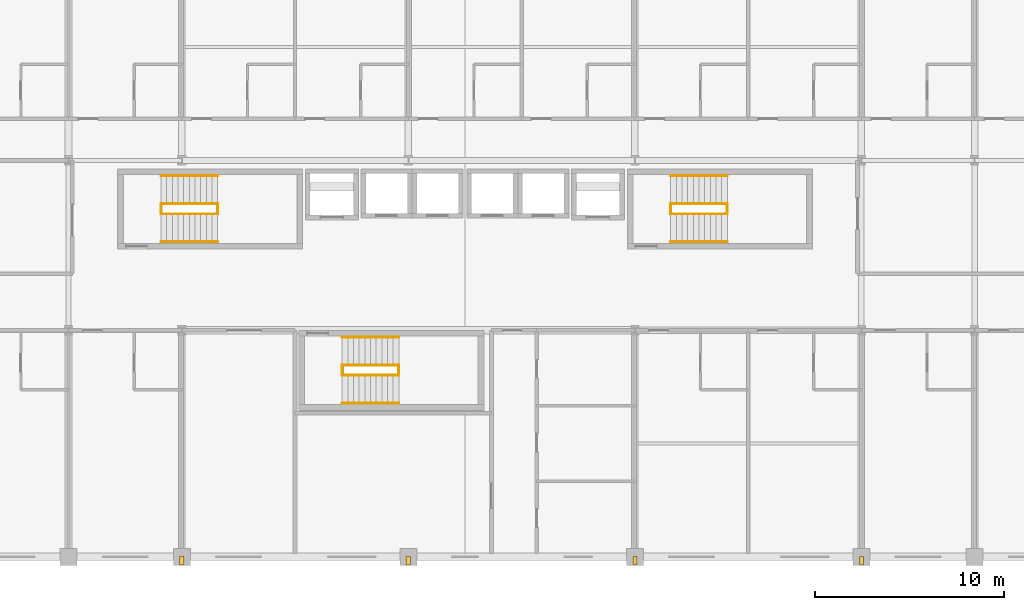
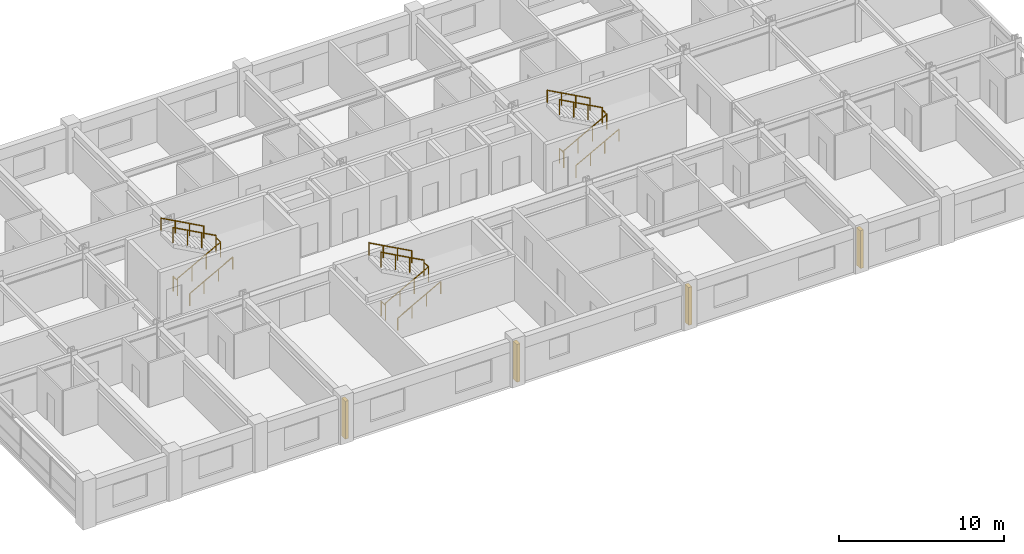
# One storey, part 22 of 22: 18 railings, 4 shading devices.
"""IFC4 building model written with IfcOpenShell, lengths in metres."""

import ifcopenshell
import ifcopenshell.guid

model = None  # the IFC model being written
_history = None  # IfcOwnerHistory: only IFC2X3 demands one
_inside = {}  # id of a spatial element -> (the spatial element, [elements in it])
_under = {}  # id of a project, library or spatial element -> (it, [spatial elements below it])
_declared = {}  # id of a project -> (the project, [libraries it declares])
_typed = {}  # id of a type object -> (the type object, [elements of that type])
_made_of = {}  # id of a material, layer set ... -> (it, [elements and type objects made of it])


def new_model(schema):
    """Start an empty IFC model of exactly this schema.

    Asked for "IFC4X3", IfcOpenShell would pick the latest addendum, in which some entities
    have other attributes; the version numbers below select the first issue.
    IFC2X3 requires an IfcOwnerHistory on every rooted entity: one is made here for all.
    """
    global model, _history
    if schema == "IFC4X3":
        model = ifcopenshell.file(schema_version=(4, 3, 0, 0))
    else:
        model = ifcopenshell.file(schema=schema)
    _inside.clear()
    _under.clear()
    _declared.clear()
    _typed.clear()
    _made_of.clear()
    _history = None
    if model.schema == "IFC2X3":
        org = make("IfcOrganization", Name="unknown")
        user = make(
            "IfcPersonAndOrganization",
            ThePerson=make("IfcPerson", FamilyName="unknown"),
            TheOrganization=org,
        )
        app = make(
            "IfcApplication",
            ApplicationDeveloper=org,
            Version="unknown",
            ApplicationFullName="unknown",
            ApplicationIdentifier="unknown",
        )
        _history = make(
            "IfcOwnerHistory",
            OwningUser=user,
            OwningApplication=app,
            ChangeAction="ADDED",
            CreationDate=0,
        )
    return model


def make(cls, **values):
    """One entity of the class cls with the attributes given. An attribute that is None is left unset."""
    return model.create_entity(
        cls, **{name: value for name, value in values.items() if value is not None}
    )


def rooted(cls, **values):
    """An entity with a GlobalId (a new one), such as an element, a storey or a relation."""
    return make(cls, GlobalId=ifcopenshell.guid.new(), OwnerHistory=_history, **values)


def si_unit(unit_type, name, prefix=None):
    """IfcSIUnit, for example si_unit("LENGTHUNIT", "METRE", prefix="MILLI")."""
    return make("IfcSIUnit", UnitType=unit_type, Prefix=prefix, Name=name)


def assignment(units):
    """IfcUnitAssignment: the units of a project."""
    return None if units is None else make("IfcUnitAssignment", Units=units)


def point(xyz):
    """IfcCartesianPoint."""
    return None if xyz is None else make("IfcCartesianPoint", Coordinates=xyz)


def direction(xyz):
    """IfcDirection."""
    return None if xyz is None else make("IfcDirection", DirectionRatios=xyz)


def frame(location, z_axis=None, x_axis=None):
    """IfcAxis2Placement3D, a coordinate frame: its origin and axes. An axis left out is left unset."""
    return make(
        "IfcAxis2Placement3D",
        Location=point(location),
        Axis=direction(z_axis),
        RefDirection=direction(x_axis),
    )


def frame_2d(location, x_axis=None):
    """IfcAxis2Placement2D, a coordinate frame in the plane: its origin and x axis."""
    return make(
        "IfcAxis2Placement2D", Location=point(location), RefDirection=direction(x_axis)
    )


def origin():
    """The frame at (0, 0, 0) with its axes left unset."""
    return frame((0.0, 0.0, 0.0))


def origin_2d():
    """The frame at (0, 0) in the plane with its x axis left unset."""
    return frame_2d((0.0, 0.0))


def place(relative_to, where):
    """IfcLocalPlacement: puts the frame where relative to a parent placement (None: the world)."""
    return make(
        "IfcLocalPlacement", PlacementRelTo=relative_to, RelativePlacement=where
    )


def context(
    kind, dimensions, precision=None, world=None, true_north=None, identifier=None
):
    """IfcGeometricRepresentationContext, for example the 3D "Model" context."""
    return make(
        "IfcGeometricRepresentationContext",
        ContextIdentifier=identifier,
        ContextType=kind,
        CoordinateSpaceDimension=dimensions,
        Precision=precision,
        WorldCoordinateSystem=world,
        TrueNorth=true_north,
    )


def subcontext(parent, identifier, kind, view, scale=None):
    """IfcGeometricRepresentationSubContext, for example "Body" below "Model"."""
    return make(
        "IfcGeometricRepresentationSubContext",
        ContextIdentifier=identifier,
        ContextType=kind,
        ParentContext=parent,
        TargetScale=scale,
        TargetView=view,
    )


def project(units=None, contexts=None):
    """IfcProject with its units and contexts."""
    return rooted(
        "IfcProject",
        Name="project",
        RepresentationContexts=contexts,
        UnitsInContext=assignment(units),
    )


def spatial(cls, under=None, at=None, **own):
    """A site, building, storey or space (cls), placed at a placement, below another one or the project."""
    s = rooted(cls, ObjectPlacement=at, **own)
    if under is not None:
        _under.setdefault(under.id(), (under, []))[1].append(s)
    return s


def profile(cls, at=None, kind="AREA", **sizes):
    """A parametric profile (cls). Its sizes go by their IFC names, for example OverallWidth=200.0."""
    return make(cls, ProfileType=kind, Position=at, **sizes)


def rectangle(**sizes):
    """IfcRectangleProfileDef."""
    return profile("IfcRectangleProfileDef", **sizes)


def circle(**sizes):
    """IfcCircleProfileDef."""
    return profile("IfcCircleProfileDef", **sizes)


def extrude(swept, where, along, depth):
    """IfcExtrudedAreaSolid: the profile swept, set in the frame where, extruded along a direction by depth."""
    return make(
        "IfcExtrudedAreaSolid",
        SweptArea=swept,
        Position=where,
        ExtrudedDirection=direction(along),
        Depth=depth,
    )


def shape(context_of_items, identifier, shape_type, items):
    """IfcShapeRepresentation: the items that make up one representation, for example the "Body"."""
    return make(
        "IfcShapeRepresentation",
        ContextOfItems=context_of_items,
        RepresentationIdentifier=identifier,
        RepresentationType=shape_type,
        Items=items,
    )


def material(Name=None, Category=None):
    """IfcMaterial."""
    return make("IfcMaterial", Name=Name, Category=Category)


def made_of(thing, what):
    """Note that an element or type object is made of a material, layer set ...; save() writes the relation."""
    if what is not None:
        _made_of.setdefault(what.id(), (what, []))[1].append(thing)
    return thing


def type_object(cls, material=None, **own):
    """A type object (cls), such as IfcWallType, which elements share."""
    return made_of(rooted(cls, **own), material)


def element(
    cls,
    number,
    at=None,
    inside=None,
    cuts=None,
    type_object=None,
    material=None,
    context=None,
    identifier="Body",
    shape_type=None,
    held_by="IfcProductDefinitionShape",
    body=None,
    shapes=None,
    **own,
):
    """One element of the class cls, such as IfcWall. Its Tag is "e" and its number.

    at: its placement. inside: the storey or other place that contains it. cuts: it is an
    opening in that element (IfcRelVoidsElement). A single representation is given by context,
    identifier, shape_type and body (its items); several are given by shapes. held_by: the class
    of the entity that holds the representations. save() writes the other relations.
    """
    e = rooted(cls, Tag="e%d" % number, ObjectPlacement=at, **own)
    if body is not None:
        shapes = [shape(context, identifier, shape_type, body)]
    if shapes is not None:
        e.Representation = make(held_by, Representations=shapes)
    if inside is not None:
        _inside.setdefault(inside.id(), (inside, []))[1].append(e)
    if cuts is not None:
        rooted(
            "IfcRelVoidsElement", RelatingBuildingElement=cuts, RelatedOpeningElement=e
        )
    if type_object is not None:
        _typed.setdefault(type_object.id(), (type_object, []))[1].append(e)
    return made_of(e, material)


def aggregate(whole, parts):
    """IfcRelAggregates: a whole, such as a stair, and the parts it consists of."""
    return rooted("IfcRelAggregates", RelatingObject=whole, RelatedObjects=parts)


def save(model, path):
    """Write the relations noted so far, then the file.

    IfcRelAggregates (storeys below a building ...), IfcRelContainedInSpatialStructure (elements
    in a storey), IfcRelDefinesByType, IfcRelAssociatesMaterial and IfcRelDeclares: one each for
    every whole, place, type object, material and project.
    """
    for whole, parts in _under.values():
        aggregate(whole, parts)
    for where, things in _inside.values():
        rooted(
            "IfcRelContainedInSpatialStructure",
            RelatedElements=things,
            RelatingStructure=where,
        )
    for kind, things in _typed.values():
        rooted("IfcRelDefinesByType", RelatedObjects=things, RelatingType=kind)
    for what, things in _made_of.values():
        rooted("IfcRelAssociatesMaterial", RelatedObjects=things, RelatingMaterial=what)
    for by, libraries in _declared.values():
        rooted("IfcRelDeclares", RelatingContext=by, RelatedDefinitions=libraries)
    model.write(path)


model = new_model("IFC4")

# Units and contexts
model_context = context("Model", 3, precision=1e-05, world=origin(), true_north=direction((0.0, 1.0)))
body_context = subcontext(model_context, "Body", "Model", "MODEL_VIEW")
ifc_project = project(units=[si_unit("LENGTHUNIT", "METRE"), si_unit("AREAUNIT", "SQUARE_METRE"), si_unit("VOLUMEUNIT", "CUBIC_METRE"), si_unit("PLANEANGLEUNIT", "RADIAN"), si_unit("MASSUNIT", "GRAM", prefix="KILO")], contexts=[model_context])

# Site, building, storey
site_placement = place(None, origin())
site = spatial("IfcSite", under=ifc_project, at=site_placement, CompositionType="ELEMENT")
building_placement = place(site_placement, origin())
building = spatial("IfcBuilding", under=site, at=building_placement, Name="Kaldorvane Square Convention Centre", CompositionType="ELEMENT")
storey_placement = place(building_placement, frame((0.0, 0.0, 31.199996948242188)))
storey = spatial("IfcBuildingStorey", under=building, at=storey_placement, Name="L06", CompositionType="ELEMENT", Elevation=31.199996948242188)

# Railings
ifc_material_1 = material(Name="Architectural Painted Steel", Category="steel")
railing_type_1 = type_object("IfcRailingType", Name="RL-GUARD-1120", PredefinedType="BALUSTRADE", material=ifc_material_1)
for number, where, name in (
    (1, (40.899993896484375, 102.16999816894531, 0.0), "Tower Exit Stair T1 Floor Well Guard (L06)"),
    (2, (43.899993896484375, 102.16999816894531, 1.8000030517578125), "Tower Exit Stair T1 Half-Landing Guard (L06)"),
):
    element("IfcRailing", number, at=place(storey_placement, frame(where)), inside=storey, type_object=railing_type_1, Name=name, PredefinedType="BALUSTRADE", context=body_context, shape_type="SweptSolid", body=[
        extrude(circle(Radius=0.0240020751953125, at=origin_2d()), frame((0.0, 0.0, 1.0959930419921875), z_axis=(0.0, 1.0, 0.0), x_axis=(-1.0, 0.0, 0.0)), (0.0, 0.0, 1.0), 0.5200042724609375),
        extrude(circle(Radius=0.02099609375, at=origin_2d()), origin(), (0.0, 0.0, 1.0), 1.071990966796875),
        extrude(circle(Radius=0.02099609375, at=origin_2d()), frame((0.0, 0.5200042724609375, 0.0)), (0.0, 0.0, 1.0), 1.071990966796875),
    ])
railing_1_placement = place(storey_placement, frame((40.899993896484375, 102.16000366210938, 0.16363525390625)))
element("IfcRailing", 3, at=railing_1_placement, inside=storey, type_object=railing_type_1, Name="Tower Exit Stair T1 Flight 1 Guard (L06)", PredefinedType="BALUSTRADE", context=body_context, shape_type="SweptSolid", body=[
    extrude(circle(Radius=0.0240020751953125, at=origin_2d()), frame((0.0, 0.0, 1.0959930419921875), z_axis=(0.87789506098, 0.0, 0.478853069227), x_axis=(0.0, 1.0, 0.0)), (0.0, 0.0, 1.0), 3.417266845703125),
    extrude(circle(Radius=0.02099609375, at=origin_2d()), origin(), (0.0, 0.0, 1.0), 1.071990966796875),
    extrude(circle(Radius=0.02099609375, at=origin_2d()), frame((1.0, 0.0, 0.5454559326171875)), (0.0, 0.0, 1.0), 1.071990966796875),
    extrude(circle(Radius=0.02099609375, at=origin_2d()), frame((2.0, 0.0, 1.090911865234375)), (0.0, 0.0, 1.0), 1.071990966796875),
    extrude(circle(Radius=0.02099609375, at=origin_2d()), frame((3.0, 0.0, 1.6363677978515625)), (0.0, 0.0, 1.0), 1.071990966796875),
])
railing_2_placement = place(storey_placement, frame((43.899993896484375, 102.69999694824219, 1.9636383056640625)))
element("IfcRailing", 4, at=railing_2_placement, inside=storey, type_object=railing_type_1, Name="Tower Exit Stair T1 Flight 2 Guard (L06)", PredefinedType="BALUSTRADE", context=body_context, shape_type="SweptSolid", body=[
    extrude(circle(Radius=0.0240020751953125, at=origin_2d()), frame((0.0, 0.0, 1.0959930419921875), z_axis=(-0.87789506098, 0.0, 0.478853069227), x_axis=(0.0, -1.0, 0.0)), (0.0, 0.0, 1.0), 3.417266845703125),
    extrude(circle(Radius=0.02099609375, at=origin_2d()), origin(), (0.0, 0.0, 1.0), 1.071990966796875),
    extrude(circle(Radius=0.02099609375, at=origin_2d()), frame((-1.0, 0.0, 0.5454559326171875)), (0.0, 0.0, 1.0), 1.071990966796875),
    extrude(circle(Radius=0.02099609375, at=origin_2d()), frame((-2.0, 0.0, 1.090911865234375)), (0.0, 0.0, 1.0), 1.071990966796875),
    extrude(circle(Radius=0.02099609375, at=origin_2d()), frame((-3.0, 0.0, 1.6363677978515625)), (0.0, 0.0, 1.0), 1.071990966796875),
])
for number, where, name in (
    (5, (67.89999389648438, 102.16999816894531, 0.0), "Tower Exit Stair T2 Floor Well Guard (L06)"),
    (6, (70.89999389648438, 102.16999816894531, 1.8000030517578125), "Tower Exit Stair T2 Half-Landing Guard (L06)"),
):
    element("IfcRailing", number, at=place(storey_placement, frame(where)), inside=storey, type_object=railing_type_1, Name=name, PredefinedType="BALUSTRADE", context=body_context, shape_type="SweptSolid", body=[
        extrude(circle(Radius=0.0240020751953125, at=origin_2d()), frame((0.0, 0.0, 1.0959930419921875), z_axis=(0.0, 1.0, 0.0), x_axis=(-1.0, 0.0, 0.0)), (0.0, 0.0, 1.0), 0.5200042724609375),
        extrude(circle(Radius=0.02099609375, at=origin_2d()), origin(), (0.0, 0.0, 1.0), 1.071990966796875),
        extrude(circle(Radius=0.02099609375, at=origin_2d()), frame((0.0, 0.5200042724609375, 0.0)), (0.0, 0.0, 1.0), 1.071990966796875),
    ])
railing_3_placement = place(storey_placement, frame((67.89999389648438, 102.16000366210938, 0.16363525390625)))
element("IfcRailing", 7, at=railing_3_placement, inside=storey, type_object=railing_type_1, Name="Tower Exit Stair T2 Flight 1 Guard (L06)", PredefinedType="BALUSTRADE", context=body_context, shape_type="SweptSolid", body=[
    extrude(circle(Radius=0.0240020751953125, at=origin_2d()), frame((0.0, 0.0, 1.0959930419921875), z_axis=(0.87789506098, 0.0, 0.478853069227), x_axis=(0.0, 1.0, 0.0)), (0.0, 0.0, 1.0), 3.417266845703125),
    extrude(circle(Radius=0.02099609375, at=origin_2d()), origin(), (0.0, 0.0, 1.0), 1.071990966796875),
    extrude(circle(Radius=0.02099609375, at=origin_2d()), frame((1.0, 0.0, 0.5454559326171875)), (0.0, 0.0, 1.0), 1.071990966796875),
    extrude(circle(Radius=0.02099609375, at=origin_2d()), frame((2.0, 0.0, 1.090911865234375)), (0.0, 0.0, 1.0), 1.071990966796875),
    extrude(circle(Radius=0.02099609375, at=origin_2d()), frame((3.0, 0.0, 1.6363677978515625)), (0.0, 0.0, 1.0), 1.071990966796875),
])
railing_4_placement = place(storey_placement, frame((70.89999389648438, 102.69999694824219, 1.9636383056640625)))
element("IfcRailing", 8, at=railing_4_placement, inside=storey, type_object=railing_type_1, Name="Tower Exit Stair T2 Flight 2 Guard (L06)", PredefinedType="BALUSTRADE", context=body_context, shape_type="SweptSolid", body=[
    extrude(circle(Radius=0.0240020751953125, at=origin_2d()), frame((0.0, 0.0, 1.0959930419921875), z_axis=(-0.87789506098, 0.0, 0.478853069227), x_axis=(0.0, -1.0, 0.0)), (0.0, 0.0, 1.0), 3.417266845703125),
    extrude(circle(Radius=0.02099609375, at=origin_2d()), origin(), (0.0, 0.0, 1.0), 1.071990966796875),
    extrude(circle(Radius=0.02099609375, at=origin_2d()), frame((-1.0, 0.0, 0.5454559326171875)), (0.0, 0.0, 1.0), 1.071990966796875),
    extrude(circle(Radius=0.02099609375, at=origin_2d()), frame((-2.0, 0.0, 1.090911865234375)), (0.0, 0.0, 1.0), 1.071990966796875),
    extrude(circle(Radius=0.02099609375, at=origin_2d()), frame((-3.0, 0.0, 1.6363677978515625)), (0.0, 0.0, 1.0), 1.071990966796875),
])
for number, where, name in (
    (9, (50.5, 93.6199951171875, 0.0), "Tower Exit Stair T3 Floor Well Guard (L06)"),
    (10, (53.5, 93.6199951171875, 1.8000030517578125), "Tower Exit Stair T3 Half-Landing Guard (L06)"),
):
    element("IfcRailing", number, at=place(storey_placement, frame(where)), inside=storey, type_object=railing_type_1, Name=name, PredefinedType="BALUSTRADE", context=body_context, shape_type="SweptSolid", body=[
        extrude(circle(Radius=0.0240020751953125, at=origin_2d()), frame((0.0, 0.0, 1.0959930419921875), z_axis=(0.0, 1.0, 0.0), x_axis=(-1.0, 0.0, 0.0)), (0.0, 0.0, 1.0), 0.5200042724609375),
        extrude(circle(Radius=0.02099609375, at=origin_2d()), origin(), (0.0, 0.0, 1.0), 1.071990966796875),
        extrude(circle(Radius=0.02099609375, at=origin_2d()), frame((0.0, 0.5200042724609375, 0.0)), (0.0, 0.0, 1.0), 1.071990966796875),
    ])
railing_5_placement = place(storey_placement, frame((50.5, 93.61000061035156, 0.16363525390625)))
element("IfcRailing", 11, at=railing_5_placement, inside=storey, type_object=railing_type_1, Name="Tower Exit Stair T3 Flight 1 Guard (L06)", PredefinedType="BALUSTRADE", context=body_context, shape_type="SweptSolid", body=[
    extrude(circle(Radius=0.0240020751953125, at=origin_2d()), frame((0.0, 0.0, 1.0959930419921875), z_axis=(0.87789506098, 0.0, 0.478853069227), x_axis=(0.0, 1.0, 0.0)), (0.0, 0.0, 1.0), 3.417266845703125),
    extrude(circle(Radius=0.02099609375, at=origin_2d()), origin(), (0.0, 0.0, 1.0), 1.071990966796875),
    extrude(circle(Radius=0.02099609375, at=origin_2d()), frame((1.0, 0.0, 0.5454559326171875)), (0.0, 0.0, 1.0), 1.071990966796875),
    extrude(circle(Radius=0.02099609375, at=origin_2d()), frame((2.0, 0.0, 1.090911865234375)), (0.0, 0.0, 1.0), 1.071990966796875),
    extrude(circle(Radius=0.02099609375, at=origin_2d()), frame((3.0, 0.0, 1.6363677978515625)), (0.0, 0.0, 1.0), 1.071990966796875),
])
railing_6_placement = place(storey_placement, frame((53.5, 94.14999389648438, 1.9636383056640625)))
element("IfcRailing", 12, at=railing_6_placement, inside=storey, type_object=railing_type_1, Name="Tower Exit Stair T3 Flight 2 Guard (L06)", PredefinedType="BALUSTRADE", context=body_context, shape_type="SweptSolid", body=[
    extrude(circle(Radius=0.0240020751953125, at=origin_2d()), frame((0.0, 0.0, 1.0959930419921875), z_axis=(-0.87789506098, 0.0, 0.478853069227), x_axis=(0.0, -1.0, 0.0)), (0.0, 0.0, 1.0), 3.417266845703125),
    extrude(circle(Radius=0.02099609375, at=origin_2d()), origin(), (0.0, 0.0, 1.0), 1.071990966796875),
    extrude(circle(Radius=0.02099609375, at=origin_2d()), frame((-1.0, 0.0, 0.5454559326171875)), (0.0, 0.0, 1.0), 1.071990966796875),
    extrude(circle(Radius=0.02099609375, at=origin_2d()), frame((-2.0, 0.0, 1.090911865234375)), (0.0, 0.0, 1.0), 1.071990966796875),
    extrude(circle(Radius=0.02099609375, at=origin_2d()), frame((-3.0, 0.0, 1.6363677978515625)), (0.0, 0.0, 1.0), 1.071990966796875),
])
railing_type_2 = type_object("IfcRailingType", Name="RL-HAND-915", PredefinedType="HANDRAIL", material=ifc_material_1)
railing_7_placement = place(storey_placement, frame((40.899993896484375, 100.67999267578125, 0.16363525390625)))
element("IfcRailing", 13, at=railing_7_placement, inside=storey, type_object=railing_type_2, Name="Tower Exit Stair T1 Wall Handrail 1 (L06)", PredefinedType="HANDRAIL", context=body_context, shape_type="SweptSolid", body=[
    extrude(circle(Radius=0.0240020751953125, at=origin_2d()), frame((0.0, 0.0, 0.8909912109375), z_axis=(0.87789506098, 0.0, 0.478853069227), x_axis=(0.0, 1.0, 0.0)), (0.0, 0.0, 1.0), 3.417266845703125),
    extrude(circle(Radius=0.02099609375, at=origin_2d()), origin(), (0.0, 0.0, 1.0), 0.8669891357421875),
    extrude(circle(Radius=0.02099609375, at=origin_2d()), frame((1.0, 0.0, 0.5454559326171875)), (0.0, 0.0, 1.0), 0.8669891357421875),
    extrude(circle(Radius=0.02099609375, at=origin_2d()), frame((2.0, 0.0, 1.090911865234375)), (0.0, 0.0, 1.0), 0.8669891357421875),
    extrude(circle(Radius=0.02099609375, at=origin_2d()), frame((3.0, 0.0, 1.6363677978515625)), (0.0, 0.0, 1.0), 0.8669891357421875),
])
railing_8_placement = place(storey_placement, frame((43.899993896484375, 104.17999267578125, 1.9636383056640625)))
element("IfcRailing", 14, at=railing_8_placement, inside=storey, type_object=railing_type_2, Name="Tower Exit Stair T1 Wall Handrail 2 (L06)", PredefinedType="HANDRAIL", context=body_context, shape_type="SweptSolid", body=[
    extrude(circle(Radius=0.0240020751953125, at=origin_2d()), frame((0.0, 0.0, 0.8909912109375), z_axis=(-0.87789506098, 0.0, 0.478853069227), x_axis=(0.0, -1.0, 0.0)), (0.0, 0.0, 1.0), 3.417266845703125),
    extrude(circle(Radius=0.02099609375, at=origin_2d()), origin(), (0.0, 0.0, 1.0), 0.8669891357421875),
    extrude(circle(Radius=0.02099609375, at=origin_2d()), frame((-1.0, 0.0, 0.5454559326171875)), (0.0, 0.0, 1.0), 0.8669891357421875),
    extrude(circle(Radius=0.02099609375, at=origin_2d()), frame((-2.0, 0.0, 1.090911865234375)), (0.0, 0.0, 1.0), 0.8669891357421875),
    extrude(circle(Radius=0.02099609375, at=origin_2d()), frame((-3.0, 0.0, 1.6363677978515625)), (0.0, 0.0, 1.0), 0.8669891357421875),
])
railing_9_placement = place(storey_placement, frame((67.89999389648438, 100.67999267578125, 0.16363525390625)))
element("IfcRailing", 15, at=railing_9_placement, inside=storey, type_object=railing_type_2, Name="Tower Exit Stair T2 Wall Handrail 1 (L06)", PredefinedType="HANDRAIL", context=body_context, shape_type="SweptSolid", body=[
    extrude(circle(Radius=0.0240020751953125, at=origin_2d()), frame((0.0, 0.0, 0.8909912109375), z_axis=(0.87789506098, 0.0, 0.478853069227), x_axis=(0.0, 1.0, 0.0)), (0.0, 0.0, 1.0), 3.417266845703125),
    extrude(circle(Radius=0.02099609375, at=origin_2d()), origin(), (0.0, 0.0, 1.0), 0.8669891357421875),
    extrude(circle(Radius=0.02099609375, at=origin_2d()), frame((1.0, 0.0, 0.5454559326171875)), (0.0, 0.0, 1.0), 0.8669891357421875),
    extrude(circle(Radius=0.02099609375, at=origin_2d()), frame((2.0, 0.0, 1.090911865234375)), (0.0, 0.0, 1.0), 0.8669891357421875),
    extrude(circle(Radius=0.02099609375, at=origin_2d()), frame((3.0, 0.0, 1.6363677978515625)), (0.0, 0.0, 1.0), 0.8669891357421875),
])
railing_10_placement = place(storey_placement, frame((70.89999389648438, 104.17999267578125, 1.9636383056640625)))
element("IfcRailing", 16, at=railing_10_placement, inside=storey, type_object=railing_type_2, Name="Tower Exit Stair T2 Wall Handrail 2 (L06)", PredefinedType="HANDRAIL", context=body_context, shape_type="SweptSolid", body=[
    extrude(circle(Radius=0.0240020751953125, at=origin_2d()), frame((0.0, 0.0, 0.8909912109375), z_axis=(-0.87789506098, 0.0, 0.478853069227), x_axis=(0.0, -1.0, 0.0)), (0.0, 0.0, 1.0), 3.417266845703125),
    extrude(circle(Radius=0.02099609375, at=origin_2d()), origin(), (0.0, 0.0, 1.0), 0.8669891357421875),
    extrude(circle(Radius=0.02099609375, at=origin_2d()), frame((-1.0, 0.0, 0.5454559326171875)), (0.0, 0.0, 1.0), 0.8669891357421875),
    extrude(circle(Radius=0.02099609375, at=origin_2d()), frame((-2.0, 0.0, 1.090911865234375)), (0.0, 0.0, 1.0), 0.8669891357421875),
    extrude(circle(Radius=0.02099609375, at=origin_2d()), frame((-3.0, 0.0, 1.6363677978515625)), (0.0, 0.0, 1.0), 0.8669891357421875),
])
railing_11_placement = place(storey_placement, frame((50.5, 92.1300048828125, 0.16363525390625)))
element("IfcRailing", 17, at=railing_11_placement, inside=storey, type_object=railing_type_2, Name="Tower Exit Stair T3 Wall Handrail 1 (L06)", PredefinedType="HANDRAIL", context=body_context, shape_type="SweptSolid", body=[
    extrude(circle(Radius=0.0240020751953125, at=origin_2d()), frame((0.0, 0.0, 0.8909912109375), z_axis=(0.87789506098, 0.0, 0.478853069227), x_axis=(0.0, 1.0, 0.0)), (0.0, 0.0, 1.0), 3.417266845703125),
    extrude(circle(Radius=0.02099609375, at=origin_2d()), origin(), (0.0, 0.0, 1.0), 0.8669891357421875),
    extrude(circle(Radius=0.02099609375, at=origin_2d()), frame((1.0, 0.0, 0.5454559326171875)), (0.0, 0.0, 1.0), 0.8669891357421875),
    extrude(circle(Radius=0.02099609375, at=origin_2d()), frame((2.0, 0.0, 1.090911865234375)), (0.0, 0.0, 1.0), 0.8669891357421875),
    extrude(circle(Radius=0.02099609375, at=origin_2d()), frame((3.0, 0.0, 1.6363677978515625)), (0.0, 0.0, 1.0), 0.8669891357421875),
])
railing_12_placement = place(storey_placement, frame((53.5, 95.6300048828125, 1.9636383056640625)))
element("IfcRailing", 18, at=railing_12_placement, inside=storey, type_object=railing_type_2, Name="Tower Exit Stair T3 Wall Handrail 2 (L06)", PredefinedType="HANDRAIL", context=body_context, shape_type="SweptSolid", body=[
    extrude(circle(Radius=0.0240020751953125, at=origin_2d()), frame((0.0, 0.0, 0.8909912109375), z_axis=(-0.87789506098, 0.0, 0.478853069227), x_axis=(0.0, -1.0, 0.0)), (0.0, 0.0, 1.0), 3.417266845703125),
    extrude(circle(Radius=0.02099609375, at=origin_2d()), origin(), (0.0, 0.0, 1.0), 0.8669891357421875),
    extrude(circle(Radius=0.02099609375, at=origin_2d()), frame((-1.0, 0.0, 0.5454559326171875)), (0.0, 0.0, 1.0), 0.8669891357421875),
    extrude(circle(Radius=0.02099609375, at=origin_2d()), frame((-2.0, 0.0, 1.090911865234375)), (0.0, 0.0, 1.0), 0.8669891357421875),
    extrude(circle(Radius=0.02099609375, at=origin_2d()), frame((-3.0, 0.0, 1.6363677978515625)), (0.0, 0.0, 1.0), 0.8669891357421875),
])

# Shading devices
ifc_material_2 = material(Name="Concrete f'c = 42 MPa (Normalweight) Precast", Category="concrete")
shading_device_type = type_object("IfcShadingDeviceType", Name="SD-FIN-450", PredefinedType="USERDEFINED", material=ifc_material_2)
for number, where, z_axis, x_axis, name in (
    (19, (42.0, 83.79499816894531, 0.29998779296875), (0.0, 0.0, 1.0), (1.0, 0.0, 0.0), "Brutalist Precast Solar Fin (L06)"),
    (20, (54.0, 83.79499816894531, 0.29998779296875), (0.0, 0.0, 1.0), (1.0, 0.0, 0.0), "Brutalist Precast Solar Fin (L06)"),
    (21, (66.0, 83.79499816894531, 0.29998779296875), (0.0, 0.0, 1.0), (1.0, 0.0, 0.0), "Brutalist Precast Solar Fin (L06)"),
    (22, (78.0, 83.79499816894531, 0.29998779296875), (0.0, 0.0, 1.0), (1.0, 0.0, 0.0), "Brutalist Precast Solar Fin (L06)"),
):
    element("IfcShadingDevice", number, at=place(storey_placement, frame(where, z_axis=z_axis, x_axis=x_axis)), inside=storey, type_object=shading_device_type, Name=name, ObjectType="LOUVRE", PredefinedType="USERDEFINED", context=body_context, shape_type="SweptSolid", body=[
        extrude(rectangle(XDim=0.220001220703125, YDim=0.4499969482421875, at=origin_2d()), origin(), (0.0, 0.0, 1.0), 2.8000030517578125),
    ])

save(model, "model.ifc")
